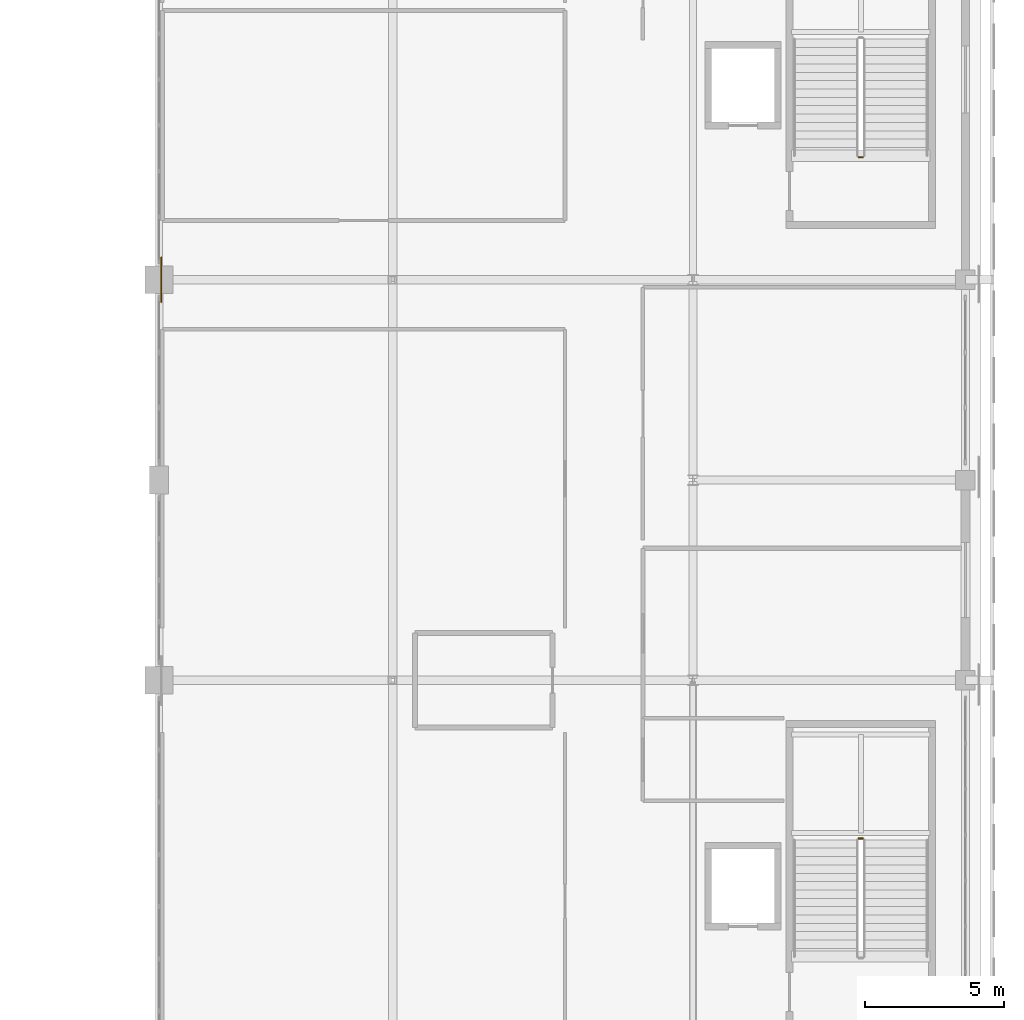
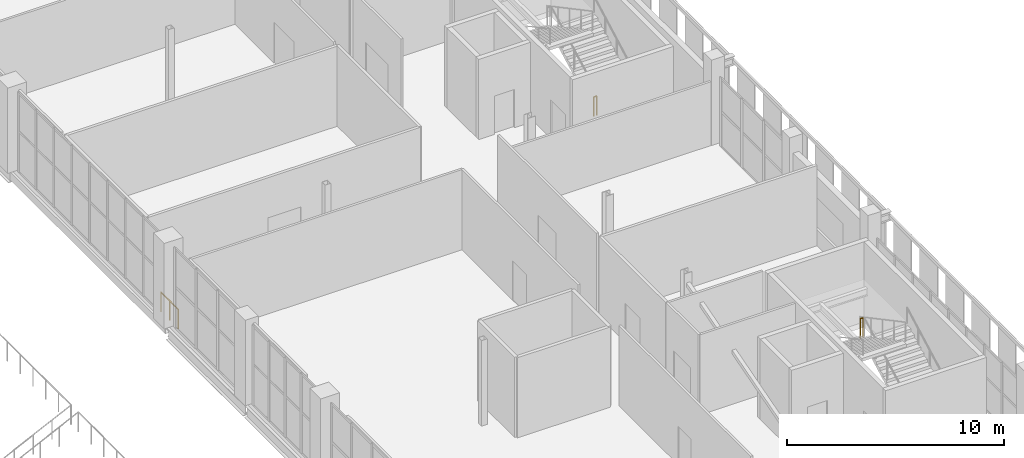
# One storey, part 95 of 104: 4 railings.
"""IFC4 building model written with IfcOpenShell, lengths in metres."""

from ifc_helpers import new_model, si_unit, direction, frame, origin, origin_2d, place, context, subcontext, project, spatial, circle, extrude, material, type_object, element, save


model = new_model("IFC4")

# Units and contexts
model_context = context("Model", 3, precision=1e-05, world=origin(), true_north=direction((0.0, 1.0)))
body_context = subcontext(model_context, "Body", "Model", "MODEL_VIEW")
ifc_project = project(units=[si_unit("LENGTHUNIT", "METRE"), si_unit("AREAUNIT", "SQUARE_METRE"), si_unit("VOLUMEUNIT", "CUBIC_METRE"), si_unit("PLANEANGLEUNIT", "RADIAN"), si_unit("MASSUNIT", "GRAM", prefix="KILO")], contexts=[model_context])

# Site, building, storey
site_placement = place(None, origin())
site = spatial("IfcSite", under=ifc_project, at=site_placement, CompositionType="ELEMENT")
building_placement = place(site_placement, origin())
building = spatial("IfcBuilding", under=site, at=building_placement, Name="Koshinbarg Plaza Stadium", CompositionType="ELEMENT")
storey_placement = place(building_placement, frame((0.0, 0.0, 19.800048828125)))
storey = spatial("IfcBuildingStorey", under=building, at=storey_placement, Name="L04", CompositionType="ELEMENT", Elevation=19.800048828125)

# Railings
ifc_material_1 = material(Name="Toughened laminated glass and stainless steel sightline balustrade", Category="steel")
railing_type_1 = type_object("IfcRailingType", Name="RL-BOWL-1100", PredefinedType="BALUSTRADE", material=ifc_material_1)
railing_1_placement = place(storey_placement, frame((189.47998046875, 53.5029296875, 0.0)))
element("IfcRailing", 1, at=railing_1_placement, inside=storey, type_object=railing_type_1, Name="L04 deck edge safety balustrade 0306", PredefinedType="BALUSTRADE", context=body_context, shape_type="SweptSolid", body=[
    extrude(circle(Radius=0.02392578125, at=origin_2d()), frame((0.0, 0.0, 1.076171875), z_axis=(0.0, 1.0, 0.0), x_axis=(-1.0, 0.0, 0.0)), (0.0, 0.0, 1.0), 0.797119140625),
    extrude(circle(Radius=0.02099609375, at=origin_2d()), origin(), (0.0, 0.0, 1.0), 1.052001953125),
    extrude(circle(Radius=0.02099609375, at=origin_2d()), frame((0.0, 0.797119140625, 0.0)), (0.0, 0.0, 1.0), 1.052001953125),
])
railing_2_placement = place(storey_placement, frame((189.47998046875, 54.300048828125, 0.0)))
element("IfcRailing", 2, at=railing_2_placement, inside=storey, type_object=railing_type_1, Name="L04 deck edge safety balustrade 0311", PredefinedType="BALUSTRADE", context=body_context, shape_type="SweptSolid", body=[
    extrude(circle(Radius=0.02392578125, at=origin_2d()), frame((0.0, 0.0, 1.076171875), z_axis=(0.0, 1.0, 0.0), x_axis=(-1.0, 0.0, 0.0)), (0.0, 0.0, 1.0), 0.800048828125),
    extrude(circle(Radius=0.02099609375, at=origin_2d()), origin(), (0.0, 0.0, 1.0), 1.052001953125),
    extrude(circle(Radius=0.02099609375, at=origin_2d()), frame((0.0, 0.800048828125, 0.0)), (0.0, 0.0, 1.0), 1.052001953125),
])
ifc_material_2 = material(Name="Galvanized painted steel guardrail", Category="steel")
railing_type_2 = type_object("IfcRailingType", Name="RL-GUARD-1100", PredefinedType="GUARDRAIL", material=ifc_material_2)
for number, where, name in (
    (3, (214.7099609375, 34.2099609375, 2.39990234375), "L04 C07 stair guard 2"),
    (4, (214.7099609375, 58.7099609375, 0.0), "L04 C08 stair guard 4"),
):
    element("IfcRailing", number, at=place(storey_placement, frame(where)), inside=storey, type_object=railing_type_2, Name=name, PredefinedType="GUARDRAIL", context=body_context, shape_type="SweptSolid", body=[
        extrude(circle(Radius=0.02392578125, at=origin_2d()), frame((0.0, 0.0, 1.076171875), z_axis=(-1.0, 0.0, 0.0), x_axis=(0.0, -1.0, 0.0)), (0.0, 0.0, 1.0), 0.14990234375),
        extrude(circle(Radius=0.02099609375, at=origin_2d()), origin(), (0.0, 0.0, 1.0), 1.052001953125),
        extrude(circle(Radius=0.02099609375, at=origin_2d()), frame((-0.14990234375, 0.0, 0.0)), (0.0, 0.0, 1.0), 1.052001953125),
    ])

save(model, "model.ifc")
